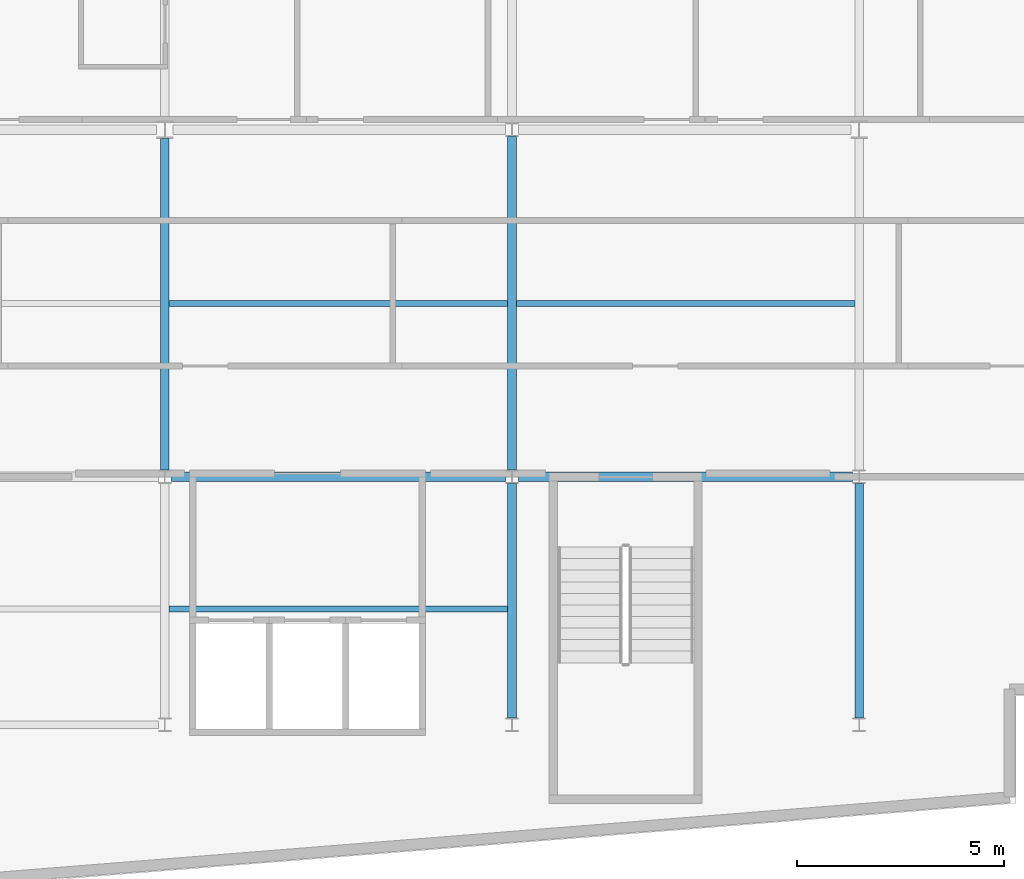
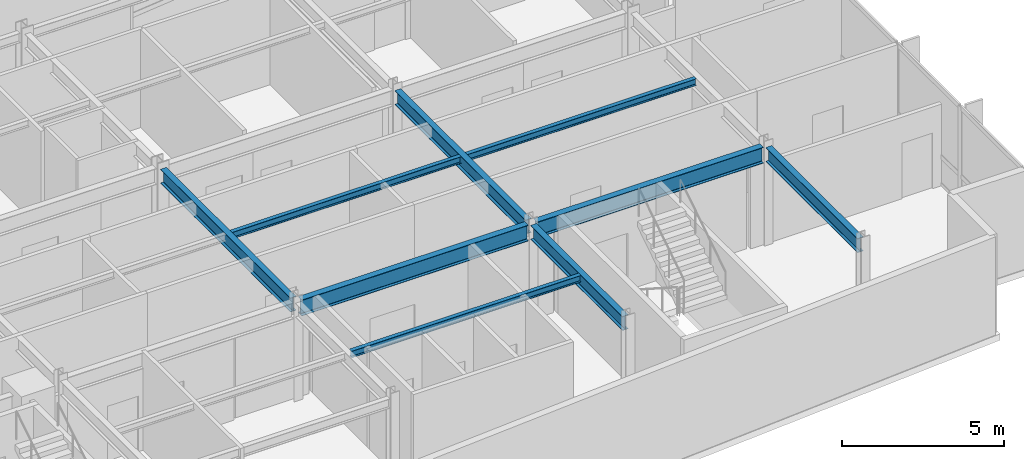
# One storey, part 4 of 18: 9 beams.
"""IFC4 building model written with IfcOpenShell, lengths in metres."""

import ifcopenshell
import ifcopenshell.guid

model = None  # the IFC model being written
_history = None  # IfcOwnerHistory: only IFC2X3 demands one
_inside = {}  # id of a spatial element -> (the spatial element, [elements in it])
_under = {}  # id of a project, library or spatial element -> (it, [spatial elements below it])
_declared = {}  # id of a project -> (the project, [libraries it declares])
_typed = {}  # id of a type object -> (the type object, [elements of that type])
_made_of = {}  # id of a material, layer set ... -> (it, [elements and type objects made of it])


def new_model(schema):
    """Start an empty IFC model of exactly this schema.

    Asked for "IFC4X3", IfcOpenShell would pick the latest addendum, in which some entities
    have other attributes; the version numbers below select the first issue.
    IFC2X3 requires an IfcOwnerHistory on every rooted entity: one is made here for all.
    """
    global model, _history
    if schema == "IFC4X3":
        model = ifcopenshell.file(schema_version=(4, 3, 0, 0))
    else:
        model = ifcopenshell.file(schema=schema)
    _inside.clear()
    _under.clear()
    _declared.clear()
    _typed.clear()
    _made_of.clear()
    _history = None
    if model.schema == "IFC2X3":
        org = make("IfcOrganization", Name="unknown")
        user = make(
            "IfcPersonAndOrganization",
            ThePerson=make("IfcPerson", FamilyName="unknown"),
            TheOrganization=org,
        )
        app = make(
            "IfcApplication",
            ApplicationDeveloper=org,
            Version="unknown",
            ApplicationFullName="unknown",
            ApplicationIdentifier="unknown",
        )
        _history = make(
            "IfcOwnerHistory",
            OwningUser=user,
            OwningApplication=app,
            ChangeAction="ADDED",
            CreationDate=0,
        )
    return model


def make(cls, **values):
    """One entity of the class cls with the attributes given. An attribute that is None is left unset."""
    return model.create_entity(
        cls, **{name: value for name, value in values.items() if value is not None}
    )


def rooted(cls, **values):
    """An entity with a GlobalId (a new one), such as an element, a storey or a relation."""
    return make(cls, GlobalId=ifcopenshell.guid.new(), OwnerHistory=_history, **values)


def si_unit(unit_type, name, prefix=None):
    """IfcSIUnit, for example si_unit("LENGTHUNIT", "METRE", prefix="MILLI")."""
    return make("IfcSIUnit", UnitType=unit_type, Prefix=prefix, Name=name)


def assignment(units):
    """IfcUnitAssignment: the units of a project."""
    return None if units is None else make("IfcUnitAssignment", Units=units)


def point(xyz):
    """IfcCartesianPoint."""
    return None if xyz is None else make("IfcCartesianPoint", Coordinates=xyz)


def direction(xyz):
    """IfcDirection."""
    return None if xyz is None else make("IfcDirection", DirectionRatios=xyz)


def frame(location, z_axis=None, x_axis=None):
    """IfcAxis2Placement3D, a coordinate frame: its origin and axes. An axis left out is left unset."""
    return make(
        "IfcAxis2Placement3D",
        Location=point(location),
        Axis=direction(z_axis),
        RefDirection=direction(x_axis),
    )


def frame_2d(location, x_axis=None):
    """IfcAxis2Placement2D, a coordinate frame in the plane: its origin and x axis."""
    return make(
        "IfcAxis2Placement2D", Location=point(location), RefDirection=direction(x_axis)
    )


def origin():
    """The frame at (0, 0, 0) with its axes left unset."""
    return frame((0.0, 0.0, 0.0))


def origin_2d():
    """The frame at (0, 0) in the plane with its x axis left unset."""
    return frame_2d((0.0, 0.0))


def place(relative_to, where):
    """IfcLocalPlacement: puts the frame where relative to a parent placement (None: the world)."""
    return make(
        "IfcLocalPlacement", PlacementRelTo=relative_to, RelativePlacement=where
    )


def context(
    kind, dimensions, precision=None, world=None, true_north=None, identifier=None
):
    """IfcGeometricRepresentationContext, for example the 3D "Model" context."""
    return make(
        "IfcGeometricRepresentationContext",
        ContextIdentifier=identifier,
        ContextType=kind,
        CoordinateSpaceDimension=dimensions,
        Precision=precision,
        WorldCoordinateSystem=world,
        TrueNorth=true_north,
    )


def subcontext(parent, identifier, kind, view, scale=None):
    """IfcGeometricRepresentationSubContext, for example "Body" below "Model"."""
    return make(
        "IfcGeometricRepresentationSubContext",
        ContextIdentifier=identifier,
        ContextType=kind,
        ParentContext=parent,
        TargetScale=scale,
        TargetView=view,
    )


def project(units=None, contexts=None):
    """IfcProject with its units and contexts."""
    return rooted(
        "IfcProject",
        Name="project",
        RepresentationContexts=contexts,
        UnitsInContext=assignment(units),
    )


def spatial(cls, under=None, at=None, **own):
    """A site, building, storey or space (cls), placed at a placement, below another one or the project."""
    s = rooted(cls, ObjectPlacement=at, **own)
    if under is not None:
        _under.setdefault(under.id(), (under, []))[1].append(s)
    return s


def profile(cls, at=None, kind="AREA", **sizes):
    """A parametric profile (cls). Its sizes go by their IFC names, for example OverallWidth=200.0."""
    return make(cls, ProfileType=kind, Position=at, **sizes)


def i_section(**sizes):
    """IfcIShapeProfileDef."""
    return profile("IfcIShapeProfileDef", **sizes)


def extrude(swept, where, along, depth):
    """IfcExtrudedAreaSolid: the profile swept, set in the frame where, extruded along a direction by depth."""
    return make(
        "IfcExtrudedAreaSolid",
        SweptArea=swept,
        Position=where,
        ExtrudedDirection=direction(along),
        Depth=depth,
    )


def shape(context_of_items, identifier, shape_type, items):
    """IfcShapeRepresentation: the items that make up one representation, for example the "Body"."""
    return make(
        "IfcShapeRepresentation",
        ContextOfItems=context_of_items,
        RepresentationIdentifier=identifier,
        RepresentationType=shape_type,
        Items=items,
    )


def material(Name=None, Category=None):
    """IfcMaterial."""
    return make("IfcMaterial", Name=Name, Category=Category)


def material_profile(
    of_material, cross_section, Name=None, Category=None, Priority=None
):
    """IfcMaterialProfile: a cross section and its material."""
    return make(
        "IfcMaterialProfile",
        Name=Name,
        Material=of_material,
        Profile=cross_section,
        Priority=Priority,
        Category=Category,
    )


def profile_set(profiles, Name=None, composite=None):
    """IfcMaterialProfileSet."""
    return make(
        "IfcMaterialProfileSet",
        Name=Name,
        MaterialProfiles=profiles,
        CompositeProfile=composite,
    )


def made_of(thing, what):
    """Note that an element or type object is made of a material, layer set ...; save() writes the relation."""
    if what is not None:
        _made_of.setdefault(what.id(), (what, []))[1].append(thing)
    return thing


def type_object(cls, material=None, **own):
    """A type object (cls), such as IfcWallType, which elements share."""
    return made_of(rooted(cls, **own), material)


def element(
    cls,
    number,
    at=None,
    inside=None,
    cuts=None,
    type_object=None,
    material=None,
    context=None,
    identifier="Body",
    shape_type=None,
    held_by="IfcProductDefinitionShape",
    body=None,
    shapes=None,
    **own,
):
    """One element of the class cls, such as IfcWall. Its Tag is "e" and its number.

    at: its placement. inside: the storey or other place that contains it. cuts: it is an
    opening in that element (IfcRelVoidsElement). A single representation is given by context,
    identifier, shape_type and body (its items); several are given by shapes. held_by: the class
    of the entity that holds the representations. save() writes the other relations.
    """
    e = rooted(cls, Tag="e%d" % number, ObjectPlacement=at, **own)
    if body is not None:
        shapes = [shape(context, identifier, shape_type, body)]
    if shapes is not None:
        e.Representation = make(held_by, Representations=shapes)
    if inside is not None:
        _inside.setdefault(inside.id(), (inside, []))[1].append(e)
    if cuts is not None:
        rooted(
            "IfcRelVoidsElement", RelatingBuildingElement=cuts, RelatedOpeningElement=e
        )
    if type_object is not None:
        _typed.setdefault(type_object.id(), (type_object, []))[1].append(e)
    return made_of(e, material)


def aggregate(whole, parts):
    """IfcRelAggregates: a whole, such as a stair, and the parts it consists of."""
    return rooted("IfcRelAggregates", RelatingObject=whole, RelatedObjects=parts)


def save(model, path):
    """Write the relations noted so far, then the file.

    IfcRelAggregates (storeys below a building ...), IfcRelContainedInSpatialStructure (elements
    in a storey), IfcRelDefinesByType, IfcRelAssociatesMaterial and IfcRelDeclares: one each for
    every whole, place, type object, material and project.
    """
    for whole, parts in _under.values():
        aggregate(whole, parts)
    for where, things in _inside.values():
        rooted(
            "IfcRelContainedInSpatialStructure",
            RelatedElements=things,
            RelatingStructure=where,
        )
    for kind, things in _typed.values():
        rooted("IfcRelDefinesByType", RelatedObjects=things, RelatingType=kind)
    for what, things in _made_of.values():
        rooted("IfcRelAssociatesMaterial", RelatedObjects=things, RelatingMaterial=what)
    for by, libraries in _declared.values():
        rooted("IfcRelDeclares", RelatingContext=by, RelatedDefinitions=libraries)
    model.write(path)


model = new_model("IFC4")

# Units and contexts
model_context = context("Model", 3, precision=1e-05, world=origin(), true_north=direction((0.0, 1.0)))
body_context = subcontext(model_context, "Body", "Model", "MODEL_VIEW")
ifc_project = project(units=[si_unit("LENGTHUNIT", "METRE"), si_unit("AREAUNIT", "SQUARE_METRE"), si_unit("VOLUMEUNIT", "CUBIC_METRE"), si_unit("PLANEANGLEUNIT", "RADIAN"), si_unit("MASSUNIT", "GRAM", prefix="KILO")], contexts=[model_context])

# Site, building, storey
site_placement = place(None, origin())
site = spatial("IfcSite", under=ifc_project, at=site_placement, CompositionType="ELEMENT")
building_placement = place(site_placement, origin())
building = spatial("IfcBuilding", under=site, at=building_placement, Name="Varnakote Quay Hospital", CompositionType="ELEMENT")
storey_placement = place(building_placement, frame((0.0, 0.0, 119.14990234375)))
storey = spatial("IfcBuildingStorey", under=building, at=storey_placement, Name="L29", CompositionType="ELEMENT", Elevation=119.14990234375)

# Beams
ifc_material_1 = material(Name="Structural steel AS/NZS 3679.1 Grade 350 L0 (fy 340 MPa)", Category="steel")
ifc_material_profile_1 = material_profile(ifc_material_1, i_section(OverallWidth=0.208984375, OverallDepth=0.532958984375, WebThickness=0.01025390625, FlangeThickness=0.015625, FilletRadius=0.013916015625, at=origin_2d()), Name="530UB92.4")
ifc_profile_set_1 = profile_set([ifc_material_profile_1], Name="Structural steel AS/NZS 3679.1 Grade 350 L0 (fy 340 MPa)")
beam_type_1 = type_object("IfcBeamType", Name="BM-STL-530UB92-4", PredefinedType="BEAM", material=ifc_profile_set_1)
beam_1_placement = place(storey_placement, frame((33.60009765625, 12.160400390625, 3.443603515625), z_axis=(0.0, 1.0, 0.0), x_axis=(-1.0, 0.0, 0.0)))
element("IfcBeam", 1, at=beam_1_placement, inside=storey, type_object=beam_type_1, Name="L29 Primary Tie Beam", PredefinedType="BEAM", context=body_context, shape_type="SweptSolid", body=[
    extrude(i_section(OverallWidth=0.208984375, OverallDepth=0.532958984375, WebThickness=0.01025390625, FlangeThickness=0.015625, FilletRadius=0.013916015625, at=origin_2d()), origin(), (0.0, 0.0, 1.0), 8.029541015625),
])
beam_2_placement = place(storey_placement, frame((42.0, 6.160400390625, 3.443603515625), z_axis=(0.0, 1.0, 0.0), x_axis=(-1.0, 0.0, 0.0)))
element("IfcBeam", 2, at=beam_2_placement, inside=storey, type_object=beam_type_1, Name="L29 Primary Tie Beam", PredefinedType="BEAM", context=body_context, shape_type="SweptSolid", body=[
    extrude(i_section(OverallWidth=0.208984375, OverallDepth=0.532958984375, WebThickness=0.01025390625, FlangeThickness=0.015625, FilletRadius=0.013916015625, at=origin_2d()), origin(), (0.0, 0.0, 1.0), 5.67919921875),
])
beam_3_placement = place(storey_placement, frame((42.0, 12.160400390625, 3.443603515625), z_axis=(0.0, 1.0, 0.0), x_axis=(-1.0, 0.0, 0.0)))
element("IfcBeam", 3, at=beam_3_placement, inside=storey, type_object=beam_type_1, Name="L29 Primary Tie Beam", PredefinedType="BEAM", context=body_context, shape_type="SweptSolid", body=[
    extrude(i_section(OverallWidth=0.208984375, OverallDepth=0.532958984375, WebThickness=0.01025390625, FlangeThickness=0.015625, FilletRadius=0.013916015625, at=origin_2d()), origin(), (0.0, 0.0, 1.0), 8.0791015625),
])
beam_4_placement = place(storey_placement, frame((50.39990234375, 6.160400390625, 3.443603515625), z_axis=(0.0, 1.0, 0.0), x_axis=(-1.0, 0.0, 0.0)))
element("IfcBeam", 4, at=beam_4_placement, inside=storey, type_object=beam_type_1, Name="L29 Primary Tie Beam", PredefinedType="BEAM", context=body_context, shape_type="SweptSolid", body=[
    extrude(i_section(OverallWidth=0.208984375, OverallDepth=0.532958984375, WebThickness=0.01025390625, FlangeThickness=0.015625, FilletRadius=0.013916015625, at=origin_2d()), origin(), (0.0, 0.0, 1.0), 5.67919921875),
])
ifc_material_2 = material(Name="Structural steel AS/NZS 3679.1 Grade 350 L0 (fy 340 MPa)", Category="steel")
ifc_material_profile_2 = material_profile(ifc_material_2, i_section(OverallWidth=0.22802734375, OverallDepth=0.60205078125, WebThickness=0.010498046875, FlangeThickness=0.014892578125, FilletRadius=0.013916015625, at=origin_2d()), Name="610UB101")
ifc_profile_set_2 = profile_set([ifc_material_profile_2], Name="Structural steel AS/NZS 3679.1 Grade 350 L0 (fy 340 MPa)")
beam_type_2 = type_object("IfcBeamType", Name="BM-STL-610UB101", PredefinedType="BEAM", material=ifc_profile_set_2)
for number, where, z_axis, x_axis, name in (
    (5, (33.75439453125, 12.0, 3.4091796875), (1.0, 0.0, 0.0), (0.0, 1.0, 0.0), "L29 Primary Floor Beam"),
    (6, (42.154541015625, 12.0, 3.4091796875), (1.0, 0.0, 0.0), (0.0, 1.0, 0.0), "L29 Primary Floor Beam"),
):
    element("IfcBeam", number, at=place(storey_placement, frame(where, z_axis=z_axis, x_axis=x_axis)), inside=storey, type_object=beam_type_2, Name=name, PredefinedType="BEAM", context=body_context, shape_type="SweptSolid", body=[
        extrude(i_section(OverallWidth=0.22802734375, OverallDepth=0.60205078125, WebThickness=0.010498046875, FlangeThickness=0.014892578125, FilletRadius=0.013916015625, at=origin_2d()), origin(), (0.0, 0.0, 1.0), 8.091064453125),
    ])
ifc_material_3 = material(Name="Structural steel AS/NZS 3679.1 Grade 350 L0 (fy 340 MPa)", Category="steel")
ifc_material_profile_3 = material_profile(ifc_material_3, i_section(OverallWidth=0.14599609375, OverallDepth=0.256103515625, WebThickness=0.00634765625, FlangeThickness=0.010986328125, FilletRadius=0.0087890625, at=origin_2d()), Name="250UB37.3")
ifc_profile_set_3 = profile_set([ifc_material_profile_3], Name="Structural steel AS/NZS 3679.1 Grade 350 L0 (fy 340 MPa)")
beam_type_3 = type_object("IfcBeamType", Name="JST-STL-250UB37-3", PredefinedType="JOIST", material=ifc_profile_set_3)
for number, where, z_axis, x_axis, name in (
    (7, (33.70458984375, 8.800048828125, 3.58203125), (1.0, 0.0, 0.0), (0.0, 1.0, 0.0), "L29 Composite Floor Joist"),
    (8, (33.70458984375, 16.199951171875, 3.58203125), (1.0, 0.0, 0.0), (0.0, 1.0, 0.0), "L29 Composite Floor Joist"),
    (9, (42.1044921875, 16.199951171875, 3.58203125), (1.0, 0.0, 0.0), (0.0, 1.0, 0.0), "L29 Composite Floor Joist"),
):
    element("IfcBeam", number, at=place(storey_placement, frame(where, z_axis=z_axis, x_axis=x_axis)), inside=storey, type_object=beam_type_3, Name=name, PredefinedType="JOIST", context=body_context, shape_type="SweptSolid", body=[
        extrude(i_section(OverallWidth=0.14599609375, OverallDepth=0.256103515625, WebThickness=0.00634765625, FlangeThickness=0.010986328125, FilletRadius=0.0087890625, at=origin_2d()), origin(), (0.0, 0.0, 1.0), 8.19091796875),
    ])

save(model, "model.ifc")
